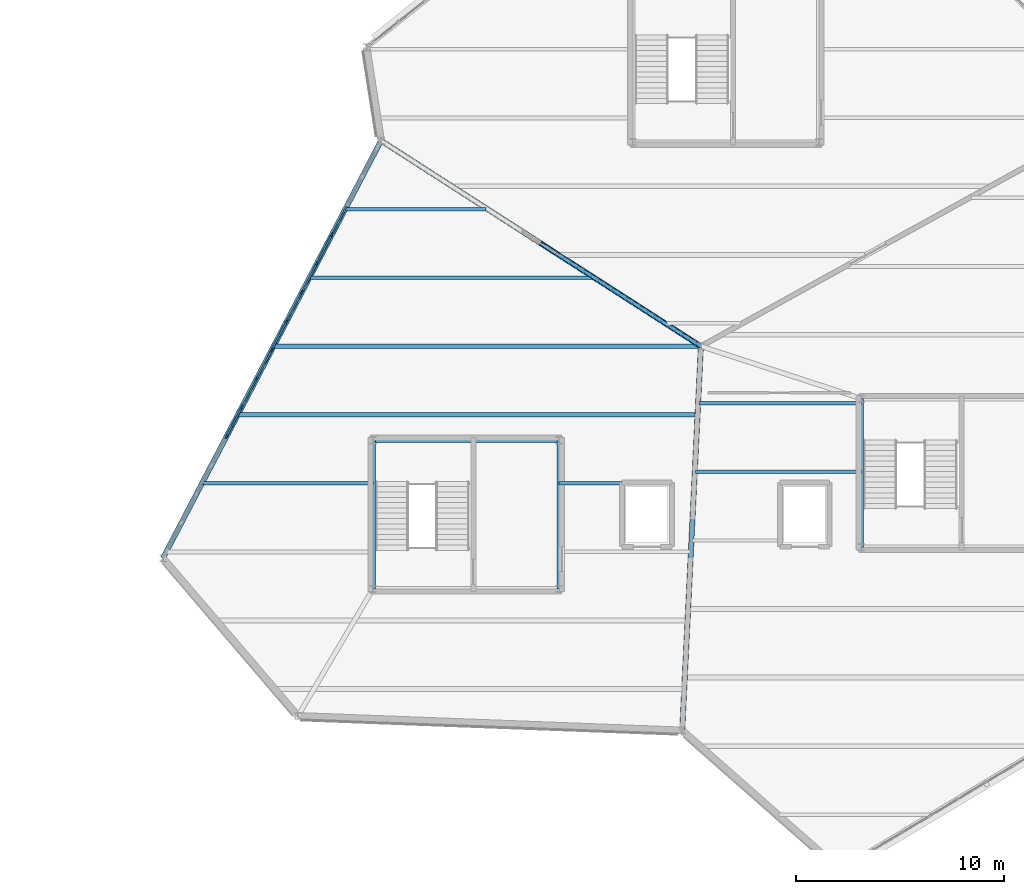
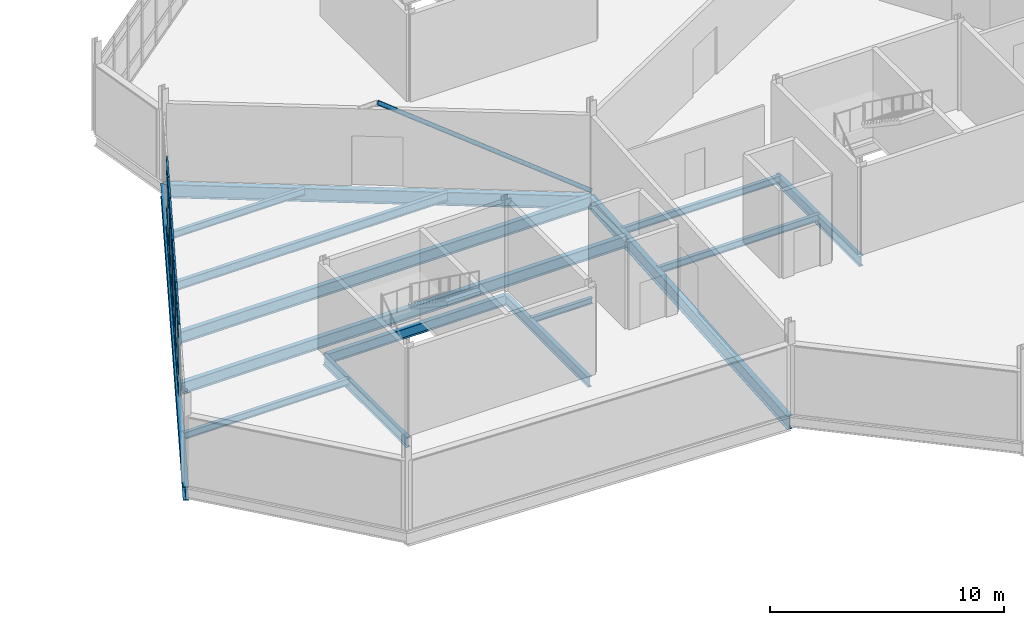
# One storey, part 52 of 114: 41 members, 15 beams, 1 element without a shape of its own.
"""IFC4 building model written with IfcOpenShell, lengths in metres."""

import ifcopenshell
import ifcopenshell.guid

model = None  # the IFC model being written
_history = None  # IfcOwnerHistory: only IFC2X3 demands one
_inside = {}  # id of a spatial element -> (the spatial element, [elements in it])
_under = {}  # id of a project, library or spatial element -> (it, [spatial elements below it])
_declared = {}  # id of a project -> (the project, [libraries it declares])
_typed = {}  # id of a type object -> (the type object, [elements of that type])
_made_of = {}  # id of a material, layer set ... -> (it, [elements and type objects made of it])


def new_model(schema):
    """Start an empty IFC model of exactly this schema.

    Asked for "IFC4X3", IfcOpenShell would pick the latest addendum, in which some entities
    have other attributes; the version numbers below select the first issue.
    IFC2X3 requires an IfcOwnerHistory on every rooted entity: one is made here for all.
    """
    global model, _history
    if schema == "IFC4X3":
        model = ifcopenshell.file(schema_version=(4, 3, 0, 0))
    else:
        model = ifcopenshell.file(schema=schema)
    _inside.clear()
    _under.clear()
    _declared.clear()
    _typed.clear()
    _made_of.clear()
    _history = None
    if model.schema == "IFC2X3":
        org = make("IfcOrganization", Name="unknown")
        user = make(
            "IfcPersonAndOrganization",
            ThePerson=make("IfcPerson", FamilyName="unknown"),
            TheOrganization=org,
        )
        app = make(
            "IfcApplication",
            ApplicationDeveloper=org,
            Version="unknown",
            ApplicationFullName="unknown",
            ApplicationIdentifier="unknown",
        )
        _history = make(
            "IfcOwnerHistory",
            OwningUser=user,
            OwningApplication=app,
            ChangeAction="ADDED",
            CreationDate=0,
        )
    return model


def make(cls, **values):
    """One entity of the class cls with the attributes given. An attribute that is None is left unset."""
    return model.create_entity(
        cls, **{name: value for name, value in values.items() if value is not None}
    )


def rooted(cls, **values):
    """An entity with a GlobalId (a new one), such as an element, a storey or a relation."""
    return make(cls, GlobalId=ifcopenshell.guid.new(), OwnerHistory=_history, **values)


def si_unit(unit_type, name, prefix=None):
    """IfcSIUnit, for example si_unit("LENGTHUNIT", "METRE", prefix="MILLI")."""
    return make("IfcSIUnit", UnitType=unit_type, Prefix=prefix, Name=name)


def assignment(units):
    """IfcUnitAssignment: the units of a project."""
    return None if units is None else make("IfcUnitAssignment", Units=units)


def point(xyz):
    """IfcCartesianPoint."""
    return None if xyz is None else make("IfcCartesianPoint", Coordinates=xyz)


def direction(xyz):
    """IfcDirection."""
    return None if xyz is None else make("IfcDirection", DirectionRatios=xyz)


def frame(location, z_axis=None, x_axis=None):
    """IfcAxis2Placement3D, a coordinate frame: its origin and axes. An axis left out is left unset."""
    return make(
        "IfcAxis2Placement3D",
        Location=point(location),
        Axis=direction(z_axis),
        RefDirection=direction(x_axis),
    )


def frame_2d(location, x_axis=None):
    """IfcAxis2Placement2D, a coordinate frame in the plane: its origin and x axis."""
    return make(
        "IfcAxis2Placement2D", Location=point(location), RefDirection=direction(x_axis)
    )


def origin():
    """The frame at (0, 0, 0) with its axes left unset."""
    return frame((0.0, 0.0, 0.0))


def origin_2d():
    """The frame at (0, 0) in the plane with its x axis left unset."""
    return frame_2d((0.0, 0.0))


def place(relative_to, where):
    """IfcLocalPlacement: puts the frame where relative to a parent placement (None: the world)."""
    return make(
        "IfcLocalPlacement", PlacementRelTo=relative_to, RelativePlacement=where
    )


def context(
    kind, dimensions, precision=None, world=None, true_north=None, identifier=None
):
    """IfcGeometricRepresentationContext, for example the 3D "Model" context."""
    return make(
        "IfcGeometricRepresentationContext",
        ContextIdentifier=identifier,
        ContextType=kind,
        CoordinateSpaceDimension=dimensions,
        Precision=precision,
        WorldCoordinateSystem=world,
        TrueNorth=true_north,
    )


def subcontext(parent, identifier, kind, view, scale=None):
    """IfcGeometricRepresentationSubContext, for example "Body" below "Model"."""
    return make(
        "IfcGeometricRepresentationSubContext",
        ContextIdentifier=identifier,
        ContextType=kind,
        ParentContext=parent,
        TargetScale=scale,
        TargetView=view,
    )


def project(units=None, contexts=None):
    """IfcProject with its units and contexts."""
    return rooted(
        "IfcProject",
        Name="project",
        RepresentationContexts=contexts,
        UnitsInContext=assignment(units),
    )


def spatial(cls, under=None, at=None, **own):
    """A site, building, storey or space (cls), placed at a placement, below another one or the project."""
    s = rooted(cls, ObjectPlacement=at, **own)
    if under is not None:
        _under.setdefault(under.id(), (under, []))[1].append(s)
    return s


def profile(cls, at=None, kind="AREA", **sizes):
    """A parametric profile (cls). Its sizes go by their IFC names, for example OverallWidth=200.0."""
    return make(cls, ProfileType=kind, Position=at, **sizes)


def rectangle(**sizes):
    """IfcRectangleProfileDef."""
    return profile("IfcRectangleProfileDef", **sizes)


def hollow_circle(**sizes):
    """IfcCircleHollowProfileDef."""
    return profile("IfcCircleHollowProfileDef", **sizes)


def i_section(**sizes):
    """IfcIShapeProfileDef."""
    return profile("IfcIShapeProfileDef", **sizes)


def extrude(swept, where, along, depth):
    """IfcExtrudedAreaSolid: the profile swept, set in the frame where, extruded along a direction by depth."""
    return make(
        "IfcExtrudedAreaSolid",
        SweptArea=swept,
        Position=where,
        ExtrudedDirection=direction(along),
        Depth=depth,
    )


def shape(context_of_items, identifier, shape_type, items):
    """IfcShapeRepresentation: the items that make up one representation, for example the "Body"."""
    return make(
        "IfcShapeRepresentation",
        ContextOfItems=context_of_items,
        RepresentationIdentifier=identifier,
        RepresentationType=shape_type,
        Items=items,
    )


def material(Name=None, Category=None):
    """IfcMaterial."""
    return make("IfcMaterial", Name=Name, Category=Category)


def material_profile(
    of_material, cross_section, Name=None, Category=None, Priority=None
):
    """IfcMaterialProfile: a cross section and its material."""
    return make(
        "IfcMaterialProfile",
        Name=Name,
        Material=of_material,
        Profile=cross_section,
        Priority=Priority,
        Category=Category,
    )


def profile_set(profiles, Name=None, composite=None):
    """IfcMaterialProfileSet."""
    return make(
        "IfcMaterialProfileSet",
        Name=Name,
        MaterialProfiles=profiles,
        CompositeProfile=composite,
    )


def made_of(thing, what):
    """Note that an element or type object is made of a material, layer set ...; save() writes the relation."""
    if what is not None:
        _made_of.setdefault(what.id(), (what, []))[1].append(thing)
    return thing


def type_object(cls, material=None, **own):
    """A type object (cls), such as IfcWallType, which elements share."""
    return made_of(rooted(cls, **own), material)


def element(
    cls,
    number,
    at=None,
    inside=None,
    cuts=None,
    type_object=None,
    material=None,
    context=None,
    identifier="Body",
    shape_type=None,
    held_by="IfcProductDefinitionShape",
    body=None,
    shapes=None,
    **own,
):
    """One element of the class cls, such as IfcWall. Its Tag is "e" and its number.

    at: its placement. inside: the storey or other place that contains it. cuts: it is an
    opening in that element (IfcRelVoidsElement). A single representation is given by context,
    identifier, shape_type and body (its items); several are given by shapes. held_by: the class
    of the entity that holds the representations. save() writes the other relations.
    """
    e = rooted(cls, Tag="e%d" % number, ObjectPlacement=at, **own)
    if body is not None:
        shapes = [shape(context, identifier, shape_type, body)]
    if shapes is not None:
        e.Representation = make(held_by, Representations=shapes)
    if inside is not None:
        _inside.setdefault(inside.id(), (inside, []))[1].append(e)
    if cuts is not None:
        rooted(
            "IfcRelVoidsElement", RelatingBuildingElement=cuts, RelatedOpeningElement=e
        )
    if type_object is not None:
        _typed.setdefault(type_object.id(), (type_object, []))[1].append(e)
    return made_of(e, material)


def aggregate(whole, parts):
    """IfcRelAggregates: a whole, such as a stair, and the parts it consists of."""
    return rooted("IfcRelAggregates", RelatingObject=whole, RelatedObjects=parts)


def save(model, path):
    """Write the relations noted so far, then the file.

    IfcRelAggregates (storeys below a building ...), IfcRelContainedInSpatialStructure (elements
    in a storey), IfcRelDefinesByType, IfcRelAssociatesMaterial and IfcRelDeclares: one each for
    every whole, place, type object, material and project.
    """
    for whole, parts in _under.values():
        aggregate(whole, parts)
    for where, things in _inside.values():
        rooted(
            "IfcRelContainedInSpatialStructure",
            RelatedElements=things,
            RelatingStructure=where,
        )
    for kind, things in _typed.values():
        rooted("IfcRelDefinesByType", RelatedObjects=things, RelatingType=kind)
    for what, things in _made_of.values():
        rooted("IfcRelAssociatesMaterial", RelatedObjects=things, RelatingMaterial=what)
    for by, libraries in _declared.values():
        rooted("IfcRelDeclares", RelatingContext=by, RelatedDefinitions=libraries)
    model.write(path)


model = new_model("IFC4")

# Units and contexts
model_context = context("Model", 3, precision=1e-05, world=origin(), true_north=direction((0.0, 1.0)))
body_context = subcontext(model_context, "Body", "Model", "MODEL_VIEW")
ifc_project = project(units=[si_unit("LENGTHUNIT", "METRE"), si_unit("AREAUNIT", "SQUARE_METRE"), si_unit("VOLUMEUNIT", "CUBIC_METRE"), si_unit("PLANEANGLEUNIT", "RADIAN"), si_unit("MASSUNIT", "GRAM", prefix="KILO")], contexts=[model_context])

# Site, building, storey
site_placement = place(None, origin())
site = spatial("IfcSite", under=ifc_project, at=site_placement, CompositionType="ELEMENT")
building_placement = place(site_placement, origin())
building = spatial("IfcBuilding", under=site, at=building_placement, Name="Tameran Prism Museum", CompositionType="ELEMENT")
storey_placement = place(building_placement, frame((0.0, 0.0, 10.199951171875)))
storey = spatial("IfcBuildingStorey", under=building, at=storey_placement, Name="L02", CompositionType="ELEMENT", Elevation=10.199951171875)

# Beams
ifc_material_1 = material(Name="Steel Grade 300PLUS (300 MPa)", Category="steel")
ifc_material_profile_1 = material_profile(ifc_material_1, i_section(OverallWidth=0.1650390625, OverallDepth=0.303955078125, WebThickness=0.006103515625, FlangeThickness=0.01025390625, FilletRadius=0.011474609375, at=origin_2d()))
ifc_profile_set_1 = profile_set([ifc_material_profile_1])
beam_type_1 = type_object("IfcBeamType", Name="BM-J310B", PredefinedType="JOIST", material=ifc_profile_set_1)
beam_1_placement = place(storey_placement, frame((111.97998046875, 82.5, -0.35205078125), z_axis=(1.0, 0.0, 0.0), x_axis=(0.0, 1.0, 0.0)))
element("IfcBeam", 1, at=beam_1_placement, inside=storey, type_object=beam_type_1, Name="Floor Beam BM-0814", PredefinedType="JOIST", context=body_context, shape_type="SweptSolid", body=[
    extrude(i_section(OverallWidth=0.1650390625, OverallDepth=0.303955078125, WebThickness=0.006103515625, FlangeThickness=0.01025390625, FilletRadius=0.011474609375, at=origin_2d()), origin(), (0.0, 0.0, 1.0), 3.0400390625),
])
ifc_material_2 = material(Name="Steel Grade 300PLUS (300 MPa)", Category="steel")
ifc_material_profile_2 = material_profile(ifc_material_2, i_section(OverallWidth=0.172119140625, OverallDepth=0.35888671875, WebThickness=0.008056640625, FlangeThickness=0.012939453125, FilletRadius=0.011474609375, at=origin_2d()))
ifc_profile_set_2 = profile_set([ifc_material_profile_2])
beam_type_2 = type_object("IfcBeamType", Name="BM-J360A", PredefinedType="JOIST", material=ifc_profile_set_2)
beam_2_placement = place(storey_placement, frame((118.7060546875, 86.35009765625, -0.37939453125), z_axis=(1.0, 0.0, 0.0), x_axis=(0.0, 1.0, 0.0)))
element("IfcBeam", 2, at=beam_2_placement, inside=storey, type_object=beam_type_2, Name="Floor Beam BM-0827", PredefinedType="JOIST", context=body_context, shape_type="SweptSolid", body=[
    extrude(i_section(OverallWidth=0.172119140625, OverallDepth=0.35888671875, WebThickness=0.008056640625, FlangeThickness=0.012939453125, FilletRadius=0.011474609375, at=origin_2d()), origin(), (0.0, 0.0, 1.0), 7.81396484375),
])
ifc_material_3 = material(Name="Steel Grade 300PLUS (300 MPa)", Category="steel")
ifc_material_profile_3 = material_profile(ifc_material_3, i_section(OverallWidth=0.1708984375, OverallDepth=0.35595703125, WebThickness=0.00732421875, FlangeThickness=0.011474609375, FilletRadius=0.011474609375, at=origin_2d()))
ifc_profile_set_3 = profile_set([ifc_material_profile_3])
beam_type_3 = type_object("IfcBeamType", Name="BM-J360B", PredefinedType="JOIST", material=ifc_profile_set_3)
beam_3_placement = place(storey_placement, frame((94.825927734375, 82.5, -0.3779296875), z_axis=(1.0, 0.0, 0.0), x_axis=(0.0, 1.0, 0.0)))
element("IfcBeam", 3, at=beam_3_placement, inside=storey, type_object=beam_type_3, Name="Floor Beam BM-0813", PredefinedType="JOIST", context=body_context, shape_type="SweptSolid", body=[
    extrude(i_section(OverallWidth=0.1708984375, OverallDepth=0.35595703125, WebThickness=0.00732421875, FlangeThickness=0.011474609375, FilletRadius=0.011474609375, at=origin_2d()), origin(), (0.0, 0.0, 1.0), 8.194091796875),
])
beam_4_placement = place(storey_placement, frame((101.720947265625, 95.699951171875, -0.3779296875), z_axis=(1.0, 0.0, 0.0), x_axis=(0.0, 1.0, 0.0)))
element("IfcBeam", 4, at=beam_4_placement, inside=storey, type_object=beam_type_3, Name="Floor Beam BM-0818", PredefinedType="JOIST", context=body_context, shape_type="SweptSolid", body=[
    extrude(i_section(OverallWidth=0.1708984375, OverallDepth=0.35595703125, WebThickness=0.00732421875, FlangeThickness=0.011474609375, FilletRadius=0.011474609375, at=origin_2d()), origin(), (0.0, 0.0, 1.0), 6.738037109375),
])
beam_5_placement = place(storey_placement, frame((118.5458984375, 83.050048828125, -0.3779296875), z_axis=(1.0, 0.0, 0.0), x_axis=(0.0, 1.0, 0.0)))
element("IfcBeam", 5, at=beam_5_placement, inside=storey, type_object=beam_type_3, Name="Floor Beam BM-0825", PredefinedType="JOIST", context=body_context, shape_type="SweptSolid", body=[
    extrude(i_section(OverallWidth=0.1708984375, OverallDepth=0.35595703125, WebThickness=0.00732421875, FlangeThickness=0.011474609375, FilletRadius=0.011474609375, at=origin_2d()), origin(), (0.0, 0.0, 1.0), 7.97412109375),
])
ifc_material_4 = material(Name="Steel Grade 300PLUS (300 MPa)", Category="steel")
ifc_material_profile_4 = material_profile(ifc_material_4, i_section(OverallWidth=0.18994140625, OverallDepth=0.4541015625, WebThickness=0.008544921875, FlangeThickness=0.0126953125, FilletRadius=0.011474609375, at=origin_2d()))
ifc_profile_set_4 = profile_set([ifc_material_profile_4])
beam_type_4 = type_object("IfcBeamType", Name="BM-J460B", PredefinedType="JOIST", material=ifc_profile_set_4)
beam_6_placement = place(storey_placement, frame((99.9970703125, 92.39990234375, -0.427001953125), z_axis=(1.0, 0.0, 0.0), x_axis=(0.0, 1.0, 0.0)))
element("IfcBeam", 6, at=beam_6_placement, inside=storey, type_object=beam_type_4, Name="Floor Beam BM-0817", PredefinedType="JOIST", context=body_context, shape_type="SweptSolid", body=[
    extrude(i_section(OverallWidth=0.18994140625, OverallDepth=0.4541015625, WebThickness=0.008544921875, FlangeThickness=0.0126953125, FilletRadius=0.011474609375, at=origin_2d()), origin(), (0.0, 0.0, 1.0), 13.595947265625),
])
ifc_material_5 = material(Name="Steel Grade 300PLUS (300 MPa)", Category="steel")
ifc_material_profile_5 = material_profile(ifc_material_5, i_section(OverallWidth=0.208984375, OverallDepth=0.528076171875, WebThickness=0.009521484375, FlangeThickness=0.01318359375, FilletRadius=0.013916015625, at=origin_2d()))
ifc_profile_set_5 = profile_set([ifc_material_profile_5])
beam_type_5 = type_object("IfcBeamType", Name="BM-SP530B", PredefinedType="SPANDREL", material=ifc_profile_set_5)
beam_7_placement = place(storey_placement, frame((111.97998046875, 77.419921875, -0.50390625), z_axis=(0.0, 1.0, 0.0), x_axis=(-1.0, 0.0, 0.0)))
element("IfcBeam", 7, at=beam_7_placement, inside=storey, type_object=beam_type_5, Name="Core Ring Beam CTB-0758", PredefinedType="SPANDREL", context=body_context, shape_type="SweptSolid", body=[
    extrude(i_section(OverallWidth=0.208984375, OverallDepth=0.528076171875, WebThickness=0.009521484375, FlangeThickness=0.01318359375, FilletRadius=0.013916015625, at=origin_2d()), origin(), (0.0, 0.0, 1.0), 7.16015625),
])
beam_8_placement = place(storey_placement, frame((111.97998046875, 84.580078125, -0.50390625), z_axis=(-1.0, 0.0, 0.0), x_axis=(0.0, -1.0, 0.0)))
element("IfcBeam", 8, at=beam_8_placement, inside=storey, type_object=beam_type_5, Name="Core Ring Beam CTB-0759", PredefinedType="SPANDREL", context=body_context, shape_type="SweptSolid", body=[
    extrude(i_section(OverallWidth=0.208984375, OverallDepth=0.528076171875, WebThickness=0.009521484375, FlangeThickness=0.01318359375, FilletRadius=0.013916015625, at=origin_2d()), origin(), (0.0, 0.0, 1.0), 8.9599609375),
])
for number, where, z_axis, x_axis, name in (
    (9, (103.02001953125, 84.580078125, -0.50390625), (0.0, -1.0, 0.0), (1.0, 0.0, 0.0), "Core Ring Beam CTB-0760"),
    (10, (126.52001953125, 86.580078125, -0.50390625), (0.0, -1.0, 0.0), (1.0, 0.0, 0.0), "Core Ring Beam CTB-0764"),
):
    element("IfcBeam", number, at=place(storey_placement, frame(where, z_axis=z_axis, x_axis=x_axis)), inside=storey, type_object=beam_type_5, Name=name, PredefinedType="SPANDREL", context=body_context, shape_type="SweptSolid", body=[
        extrude(i_section(OverallWidth=0.208984375, OverallDepth=0.528076171875, WebThickness=0.009521484375, FlangeThickness=0.01318359375, FilletRadius=0.013916015625, at=origin_2d()), origin(), (0.0, 0.0, 1.0), 7.16015625),
    ])
ifc_material_6 = material(Name="Steel Grade 350 (350 MPa)", Category="steel")
ifc_material_profile_6 = material_profile(ifc_material_6, i_section(OverallWidth=0.25, OverallDepth=0.699951171875, WebThickness=0.010009765625, FlangeThickness=0.02001953125, at=origin_2d()))
ifc_profile_set_6 = profile_set([ifc_material_profile_6])
beam_type_6 = type_object("IfcBeamType", Name="BM-SP700", PredefinedType="SPANDREL", material=ifc_profile_set_6)
beam_9_placement = place(storey_placement, frame((117.89990234375, 70.60009765625, -0.550048828125), z_axis=(0.048599072515, 0.998818366947, 0.0), x_axis=(-0.998818366947, 0.048599072515, 0.0)))
element("IfcBeam", 11, at=beam_9_placement, inside=storey, type_object=beam_type_6, Name="Perimeter Spandrel SP-0655", PredefinedType="SPANDREL", context=body_context, shape_type="SweptSolid", body=[
    extrude(i_section(OverallWidth=0.25, OverallDepth=0.699951171875, WebThickness=0.010009765625, FlangeThickness=0.02001953125, at=origin_2d()), origin(), (0.0, 0.0, 1.0), 18.52197265625),
])
beam_10_placement = place(storey_placement, frame((118.800048828125, 89.10009765625, -0.550048828125), z_axis=(-0.841183241423, 0.540750177392, 0.0), x_axis=(-0.540750177392, -0.841183241423, 0.0)))
element("IfcBeam", 12, at=beam_10_placement, inside=storey, type_object=beam_type_6, Name="Perimeter Spandrel SP-0656", PredefinedType="SPANDREL", context=body_context, shape_type="SweptSolid", body=[
    extrude(i_section(OverallWidth=0.25, OverallDepth=0.699951171875, WebThickness=0.010009765625, FlangeThickness=0.02001953125, at=origin_2d()), origin(), (0.0, 0.0, 1.0), 18.3076171875),
])
beam_11_placement = place(storey_placement, frame((103.39990234375, 99.0, -0.550048828125), z_axis=(-0.463016287734, -0.886349771418, 0.0), x_axis=(0.886349771418, -0.463016287734, 0.0)))
element("IfcBeam", 13, at=beam_11_placement, inside=storey, type_object=beam_type_6, Name="Perimeter Spandrel SP-0657", PredefinedType="SPANDREL", context=body_context, shape_type="SweptSolid", body=[
    extrude(i_section(OverallWidth=0.25, OverallDepth=0.699951171875, WebThickness=0.010009765625, FlangeThickness=0.02001953125, at=origin_2d()), origin(), (0.0, 0.0, 1.0), 22.677490234375),
])
ifc_material_7 = material(Name="Steel Grade 300PLUS (300 MPa)", Category="steel")
ifc_material_profile_7 = material_profile(ifc_material_7, i_section(OverallWidth=0.22802734375, OverallDepth=0.60693359375, WebThickness=0.01123046875, FlangeThickness=0.017333984375, FilletRadius=0.013916015625, at=origin_2d()))
ifc_profile_set_7 = profile_set([ifc_material_profile_7])
beam_type_7 = type_object("IfcBeamType", Name="BM-UB610B", PredefinedType="BEAM", material=ifc_profile_set_7)
beam_12_placement = place(storey_placement, frame((96.550048828125, 85.800048828125, -0.50341796875), z_axis=(1.0, 0.0, 0.0), x_axis=(0.0, 1.0, 0.0)))
element("IfcBeam", 14, at=beam_12_placement, inside=storey, type_object=beam_type_7, Name="Floor Beam BM-0815", PredefinedType="BEAM", context=body_context, shape_type="SweptSolid", body=[
    extrude(i_section(OverallWidth=0.22802734375, OverallDepth=0.60693359375, WebThickness=0.01123046875, FlangeThickness=0.017333984375, FilletRadius=0.013916015625, at=origin_2d()), origin(), (0.0, 0.0, 1.0), 22.049072265625),
])
beam_13_placement = place(storey_placement, frame((98.27294921875, 89.10009765625, -0.50341796875), z_axis=(1.0, 0.0, 0.0), x_axis=(0.0, 1.0, 0.0)))
element("IfcBeam", 15, at=beam_13_placement, inside=storey, type_object=beam_type_7, Name="Floor Beam BM-0816", PredefinedType="BEAM", context=body_context, shape_type="SweptSolid", body=[
    extrude(i_section(OverallWidth=0.22802734375, OverallDepth=0.60693359375, WebThickness=0.01123046875, FlangeThickness=0.017333984375, FilletRadius=0.013916015625, at=origin_2d()), origin(), (0.0, 0.0, 1.0), 20.453125),
])

# Curtain wall, members
ifc_material_8 = material(Name="Anodised Aluminium 6063-T6 and Cyclone Solar Glass", Category="aluminium")
curtain_wall_type = type_object("IfcCurtainWallType", Name="CW-FAC-2192x362", PredefinedType="USERDEFINED", material=ifc_material_8)
curtain_wall_placement = place(storey_placement, origin())
curtain_wall = element("IfcCurtainWall", 16, at=curtain_wall_placement, inside=storey, type_object=curtain_wall_type, Name="Unitised Curtain Wall CW-098", ObjectType="UNITISED CURTAIN WALL", PredefinedType="USERDEFINED")
ifc_material_9 = material(Name="Anodised Aluminium Alloy 6063-T6", Category="aluminium")
ifc_material_profile_8 = material_profile(ifc_material_9, rectangle(XDim=0.080078125, YDim=0.219970703125, at=origin_2d()))
ifc_profile_set_8 = profile_set([ifc_material_profile_8])
member_type_1 = type_object("IfcMemberType", Name="CW-MUL-D", PredefinedType="MULLION", material=ifc_profile_set_8)
member_1_placement = place(storey_placement, frame((95.96142578125, 84.760498046875, 0.0), z_axis=(0.0, 0.0, 1.0), x_axis=(-0.886356952612, 0.463002540551, 0.0)))
member_1 = element("IfcMember", 17, at=member_1_placement, type_object=member_type_1, Name="CW-098 mullion 5", PredefinedType="MULLION", context=body_context, shape_type="SweptSolid", body=[
    extrude(rectangle(XDim=0.080078125, YDim=0.219970703125, at=origin_2d()), origin(), (0.0, 0.0, 1.0), 3.6201171875),
])
member_2_placement = place(storey_placement, frame((96.686279296875, 86.148193359375, 0.0), z_axis=(0.0, 0.0, 1.0), x_axis=(-0.886356952612, 0.463002540551, 0.0)))
member_2 = element("IfcMember", 18, at=member_2_placement, type_object=member_type_1, Name="CW-098 mullion 6", PredefinedType="MULLION", context=body_context, shape_type="SweptSolid", body=[
    extrude(rectangle(XDim=0.080078125, YDim=0.219970703125, at=origin_2d()), origin(), (0.0, 0.0, 1.0), 3.6201171875),
])
member_3_placement = place(storey_placement, frame((97.4111328125, 87.535888671875, 0.0), z_axis=(0.0, 0.0, 1.0), x_axis=(-0.886356952612, 0.463002540551, 0.0)))
member_3 = element("IfcMember", 19, at=member_3_placement, type_object=member_type_1, Name="CW-098 mullion 7", PredefinedType="MULLION", context=body_context, shape_type="SweptSolid", body=[
    extrude(rectangle(XDim=0.080078125, YDim=0.219970703125, at=origin_2d()), origin(), (0.0, 0.0, 1.0), 3.6201171875),
])
member_4_placement = place(storey_placement, frame((98.135986328125, 88.923583984375, 0.0), z_axis=(0.0, 0.0, 1.0), x_axis=(-0.886356952612, 0.463002540551, 0.0)))
member_4 = element("IfcMember", 20, at=member_4_placement, type_object=member_type_1, Name="CW-098 mullion 8", PredefinedType="MULLION", context=body_context, shape_type="SweptSolid", body=[
    extrude(rectangle(XDim=0.080078125, YDim=0.219970703125, at=origin_2d()), origin(), (0.0, 0.0, 1.0), 3.6201171875),
])
member_5_placement = place(storey_placement, frame((98.86083984375, 90.31103515625, 0.0), z_axis=(0.0, 0.0, 1.0), x_axis=(-0.886356952612, 0.463002540551, 0.0)))
member_5 = element("IfcMember", 21, at=member_5_placement, type_object=member_type_1, Name="CW-098 mullion 9", PredefinedType="MULLION", context=body_context, shape_type="SweptSolid", body=[
    extrude(rectangle(XDim=0.080078125, YDim=0.219970703125, at=origin_2d()), origin(), (0.0, 0.0, 1.0), 3.6201171875),
])
member_6_placement = place(storey_placement, frame((99.585693359375, 91.69873046875, 0.0), z_axis=(0.0, 0.0, 1.0), x_axis=(-0.886356952612, 0.463002540551, 0.0)))
member_6 = element("IfcMember", 22, at=member_6_placement, type_object=member_type_1, Name="CW-098 mullion 10", PredefinedType="MULLION", context=body_context, shape_type="SweptSolid", body=[
    extrude(rectangle(XDim=0.080078125, YDim=0.219970703125, at=origin_2d()), origin(), (0.0, 0.0, 1.0), 3.6201171875),
])
member_7_placement = place(storey_placement, frame((100.310546875, 93.08642578125, 0.0), z_axis=(0.0, 0.0, 1.0), x_axis=(-0.886356952612, 0.463002540551, 0.0)))
member_7 = element("IfcMember", 23, at=member_7_placement, type_object=member_type_1, Name="CW-098 mullion 11", PredefinedType="MULLION", context=body_context, shape_type="SweptSolid", body=[
    extrude(rectangle(XDim=0.080078125, YDim=0.219970703125, at=origin_2d()), origin(), (0.0, 0.0, 1.0), 3.6201171875),
])
member_8_placement = place(storey_placement, frame((101.035400390625, 94.47412109375, 0.0), z_axis=(0.0, 0.0, 1.0), x_axis=(-0.886356952612, 0.463002540551, 0.0)))
member_8 = element("IfcMember", 24, at=member_8_placement, type_object=member_type_1, Name="CW-098 mullion 12", PredefinedType="MULLION", context=body_context, shape_type="SweptSolid", body=[
    extrude(rectangle(XDim=0.080078125, YDim=0.219970703125, at=origin_2d()), origin(), (0.0, 0.0, 1.0), 3.6201171875),
])
ifc_material_10 = material(Name="Anodised Aluminium Alloy 6063-T6", Category="aluminium")
ifc_material_profile_9 = material_profile(ifc_material_10, rectangle(XDim=0.080078125, YDim=0.195068359375, at=origin_2d()))
ifc_profile_set_9 = profile_set([ifc_material_profile_9])
member_type_2 = type_object("IfcMemberType", Name="CW-TRN-D", PredefinedType="USERDEFINED", material=ifc_profile_set_9)
member_9_placement = place(storey_placement, frame((95.97998046875, 84.796142578125, 0.0400390625), z_axis=(0.462987220267, 0.886364955236, 0.0), x_axis=(-0.886364955236, 0.462987220267, 0.0)))
member_9 = element("IfcMember", 25, at=member_9_placement, type_object=member_type_2, Name="CW-098 transom 5.1", ObjectType="TRANSOM", PredefinedType="USERDEFINED", context=body_context, shape_type="SweptSolid", body=[
    extrude(rectangle(XDim=0.080078125, YDim=0.195068359375, at=origin_2d()), origin(), (0.0, 0.0, 1.0), 1.4853515625),
])
member_10_placement = place(storey_placement, frame((95.97998046875, 84.796142578125, 1.0), z_axis=(0.462987220267, 0.886364955236, 0.0), x_axis=(-0.886364955236, 0.462987220267, 0.0)))
member_10 = element("IfcMember", 26, at=member_10_placement, type_object=member_type_2, Name="CW-098 transom 5.2", ObjectType="TRANSOM", PredefinedType="USERDEFINED", context=body_context, shape_type="SweptSolid", body=[
    extrude(rectangle(XDim=0.080078125, YDim=0.195068359375, at=origin_2d()), origin(), (0.0, 0.0, 1.0), 1.4853515625),
])
member_11_placement = place(storey_placement, frame((95.97998046875, 84.796142578125, 2.93994140625), z_axis=(0.462987220267, 0.886364955236, 0.0), x_axis=(-0.886364955236, 0.462987220267, 0.0)))
member_11 = element("IfcMember", 27, at=member_11_placement, type_object=member_type_2, Name="CW-098 transom 5.3", ObjectType="TRANSOM", PredefinedType="USERDEFINED", context=body_context, shape_type="SweptSolid", body=[
    extrude(rectangle(XDim=0.080078125, YDim=0.195068359375, at=origin_2d()), origin(), (0.0, 0.0, 1.0), 1.4853515625),
])
member_12_placement = place(storey_placement, frame((95.97998046875, 84.796142578125, 3.580078125), z_axis=(0.462987220267, 0.886364955236, 0.0), x_axis=(-0.886364955236, 0.462987220267, 0.0)))
member_12 = element("IfcMember", 28, at=member_12_placement, type_object=member_type_2, Name="CW-098 transom 5.4", ObjectType="TRANSOM", PredefinedType="USERDEFINED", context=body_context, shape_type="SweptSolid", body=[
    extrude(rectangle(XDim=0.080078125, YDim=0.195068359375, at=origin_2d()), origin(), (0.0, 0.0, 1.0), 1.4853515625),
])
member_13_placement = place(storey_placement, frame((96.704833984375, 86.18359375, 0.0400390625), z_axis=(0.46291978158, 0.886400178148, 0.0), x_axis=(-0.886400178148, 0.46291978158, 0.0)))
member_13 = element("IfcMember", 29, at=member_13_placement, type_object=member_type_2, Name="CW-098 transom 6.1", ObjectType="TRANSOM", PredefinedType="USERDEFINED", context=body_context, shape_type="SweptSolid", body=[
    extrude(rectangle(XDim=0.080078125, YDim=0.195068359375, at=origin_2d()), origin(), (0.0, 0.0, 1.0), 1.485595703125),
])
member_14_placement = place(storey_placement, frame((96.704833984375, 86.18359375, 1.0), z_axis=(0.46291978158, 0.886400178148, 0.0), x_axis=(-0.886400178148, 0.46291978158, 0.0)))
member_14 = element("IfcMember", 30, at=member_14_placement, type_object=member_type_2, Name="CW-098 transom 6.2", ObjectType="TRANSOM", PredefinedType="USERDEFINED", context=body_context, shape_type="SweptSolid", body=[
    extrude(rectangle(XDim=0.080078125, YDim=0.195068359375, at=origin_2d()), origin(), (0.0, 0.0, 1.0), 1.485595703125),
])
member_15_placement = place(storey_placement, frame((96.704833984375, 86.18359375, 2.93994140625), z_axis=(0.46291978158, 0.886400178148, 0.0), x_axis=(-0.886400178148, 0.46291978158, 0.0)))
member_15 = element("IfcMember", 31, at=member_15_placement, type_object=member_type_2, Name="CW-098 transom 6.3", ObjectType="TRANSOM", PredefinedType="USERDEFINED", context=body_context, shape_type="SweptSolid", body=[
    extrude(rectangle(XDim=0.080078125, YDim=0.195068359375, at=origin_2d()), origin(), (0.0, 0.0, 1.0), 1.485595703125),
])
member_16_placement = place(storey_placement, frame((96.704833984375, 86.18359375, 3.580078125), z_axis=(0.46291978158, 0.886400178148, 0.0), x_axis=(-0.886400178148, 0.46291978158, 0.0)))
member_16 = element("IfcMember", 32, at=member_16_placement, type_object=member_type_2, Name="CW-098 transom 6.4", ObjectType="TRANSOM", PredefinedType="USERDEFINED", context=body_context, shape_type="SweptSolid", body=[
    extrude(rectangle(XDim=0.080078125, YDim=0.195068359375, at=origin_2d()), origin(), (0.0, 0.0, 1.0), 1.485595703125),
])
member_17_placement = place(storey_placement, frame((97.4296875, 87.5712890625, 0.0400390625), z_axis=(0.462987220267, 0.886364955236, 0.0), x_axis=(-0.886364955236, 0.462987220267, 0.0)))
member_17 = element("IfcMember", 33, at=member_17_placement, type_object=member_type_2, Name="CW-098 transom 7.1", ObjectType="TRANSOM", PredefinedType="USERDEFINED", context=body_context, shape_type="SweptSolid", body=[
    extrude(rectangle(XDim=0.080078125, YDim=0.195068359375, at=origin_2d()), origin(), (0.0, 0.0, 1.0), 1.4853515625),
])
member_18_placement = place(storey_placement, frame((97.4296875, 87.5712890625, 1.0), z_axis=(0.462987220267, 0.886364955236, 0.0), x_axis=(-0.886364955236, 0.462987220267, 0.0)))
member_18 = element("IfcMember", 34, at=member_18_placement, type_object=member_type_2, Name="CW-098 transom 7.2", ObjectType="TRANSOM", PredefinedType="USERDEFINED", context=body_context, shape_type="SweptSolid", body=[
    extrude(rectangle(XDim=0.080078125, YDim=0.195068359375, at=origin_2d()), origin(), (0.0, 0.0, 1.0), 1.4853515625),
])
member_19_placement = place(storey_placement, frame((97.4296875, 87.5712890625, 2.93994140625), z_axis=(0.462987220267, 0.886364955236, 0.0), x_axis=(-0.886364955236, 0.462987220267, 0.0)))
member_19 = element("IfcMember", 35, at=member_19_placement, type_object=member_type_2, Name="CW-098 transom 7.3", ObjectType="TRANSOM", PredefinedType="USERDEFINED", context=body_context, shape_type="SweptSolid", body=[
    extrude(rectangle(XDim=0.080078125, YDim=0.195068359375, at=origin_2d()), origin(), (0.0, 0.0, 1.0), 1.4853515625),
])
member_20_placement = place(storey_placement, frame((97.4296875, 87.5712890625, 3.580078125), z_axis=(0.462987220267, 0.886364955236, 0.0), x_axis=(-0.886364955236, 0.462987220267, 0.0)))
member_20 = element("IfcMember", 36, at=member_20_placement, type_object=member_type_2, Name="CW-098 transom 7.4", ObjectType="TRANSOM", PredefinedType="USERDEFINED", context=body_context, shape_type="SweptSolid", body=[
    extrude(rectangle(XDim=0.080078125, YDim=0.195068359375, at=origin_2d()), origin(), (0.0, 0.0, 1.0), 1.4853515625),
])
member_21_placement = place(storey_placement, frame((98.154541015625, 88.958984375, 0.0400390625), z_axis=(0.462987220267, 0.886364955236, 0.0), x_axis=(-0.886364955236, 0.462987220267, 0.0)))
member_21 = element("IfcMember", 37, at=member_21_placement, type_object=member_type_2, Name="CW-098 transom 8.1", ObjectType="TRANSOM", PredefinedType="USERDEFINED", context=body_context, shape_type="SweptSolid", body=[
    extrude(rectangle(XDim=0.080078125, YDim=0.195068359375, at=origin_2d()), origin(), (0.0, 0.0, 1.0), 1.4853515625),
])
member_22_placement = place(storey_placement, frame((98.154541015625, 88.958984375, 1.0), z_axis=(0.462987220267, 0.886364955236, 0.0), x_axis=(-0.886364955236, 0.462987220267, 0.0)))
member_22 = element("IfcMember", 38, at=member_22_placement, type_object=member_type_2, Name="CW-098 transom 8.2", ObjectType="TRANSOM", PredefinedType="USERDEFINED", context=body_context, shape_type="SweptSolid", body=[
    extrude(rectangle(XDim=0.080078125, YDim=0.195068359375, at=origin_2d()), origin(), (0.0, 0.0, 1.0), 1.4853515625),
])
member_23_placement = place(storey_placement, frame((98.154541015625, 88.958984375, 2.93994140625), z_axis=(0.462987220267, 0.886364955236, 0.0), x_axis=(-0.886364955236, 0.462987220267, 0.0)))
member_23 = element("IfcMember", 39, at=member_23_placement, type_object=member_type_2, Name="CW-098 transom 8.3", ObjectType="TRANSOM", PredefinedType="USERDEFINED", context=body_context, shape_type="SweptSolid", body=[
    extrude(rectangle(XDim=0.080078125, YDim=0.195068359375, at=origin_2d()), origin(), (0.0, 0.0, 1.0), 1.4853515625),
])
member_24_placement = place(storey_placement, frame((98.154541015625, 88.958984375, 3.580078125), z_axis=(0.462987220267, 0.886364955236, 0.0), x_axis=(-0.886364955236, 0.462987220267, 0.0)))
member_24 = element("IfcMember", 40, at=member_24_placement, type_object=member_type_2, Name="CW-098 transom 8.4", ObjectType="TRANSOM", PredefinedType="USERDEFINED", context=body_context, shape_type="SweptSolid", body=[
    extrude(rectangle(XDim=0.080078125, YDim=0.195068359375, at=origin_2d()), origin(), (0.0, 0.0, 1.0), 1.4853515625),
])
member_25_placement = place(storey_placement, frame((98.87939453125, 90.3466796875, 0.0400390625), z_axis=(0.462987220267, 0.886364955236, 0.0), x_axis=(-0.886364955236, 0.462987220267, 0.0)))
member_25 = element("IfcMember", 41, at=member_25_placement, type_object=member_type_2, Name="CW-098 transom 9.1", ObjectType="TRANSOM", PredefinedType="USERDEFINED", context=body_context, shape_type="SweptSolid", body=[
    extrude(rectangle(XDim=0.080078125, YDim=0.195068359375, at=origin_2d()), origin(), (0.0, 0.0, 1.0), 1.4853515625),
])
member_26_placement = place(storey_placement, frame((98.87939453125, 90.3466796875, 1.0), z_axis=(0.462987220267, 0.886364955236, 0.0), x_axis=(-0.886364955236, 0.462987220267, 0.0)))
member_26 = element("IfcMember", 42, at=member_26_placement, type_object=member_type_2, Name="CW-098 transom 9.2", ObjectType="TRANSOM", PredefinedType="USERDEFINED", context=body_context, shape_type="SweptSolid", body=[
    extrude(rectangle(XDim=0.080078125, YDim=0.195068359375, at=origin_2d()), origin(), (0.0, 0.0, 1.0), 1.4853515625),
])
member_27_placement = place(storey_placement, frame((98.87939453125, 90.3466796875, 2.93994140625), z_axis=(0.462987220267, 0.886364955236, 0.0), x_axis=(-0.886364955236, 0.462987220267, 0.0)))
member_27 = element("IfcMember", 43, at=member_27_placement, type_object=member_type_2, Name="CW-098 transom 9.3", ObjectType="TRANSOM", PredefinedType="USERDEFINED", context=body_context, shape_type="SweptSolid", body=[
    extrude(rectangle(XDim=0.080078125, YDim=0.195068359375, at=origin_2d()), origin(), (0.0, 0.0, 1.0), 1.4853515625),
])
member_28_placement = place(storey_placement, frame((98.87939453125, 90.3466796875, 3.580078125), z_axis=(0.462987220267, 0.886364955236, 0.0), x_axis=(-0.886364955236, 0.462987220267, 0.0)))
member_28 = element("IfcMember", 44, at=member_28_placement, type_object=member_type_2, Name="CW-098 transom 9.4", ObjectType="TRANSOM", PredefinedType="USERDEFINED", context=body_context, shape_type="SweptSolid", body=[
    extrude(rectangle(XDim=0.080078125, YDim=0.195068359375, at=origin_2d()), origin(), (0.0, 0.0, 1.0), 1.4853515625),
])
member_29_placement = place(storey_placement, frame((99.604248046875, 91.734130859375, 0.0400390625), z_axis=(0.46291978158, 0.886400178148, 0.0), x_axis=(-0.886400178148, 0.46291978158, 0.0)))
member_29 = element("IfcMember", 45, at=member_29_placement, type_object=member_type_2, Name="CW-098 transom 10.1", ObjectType="TRANSOM", PredefinedType="USERDEFINED", context=body_context, shape_type="SweptSolid", body=[
    extrude(rectangle(XDim=0.080078125, YDim=0.195068359375, at=origin_2d()), origin(), (0.0, 0.0, 1.0), 1.485595703125),
])
member_30_placement = place(storey_placement, frame((99.604248046875, 91.734130859375, 1.0), z_axis=(0.46291978158, 0.886400178148, 0.0), x_axis=(-0.886400178148, 0.46291978158, 0.0)))
member_30 = element("IfcMember", 46, at=member_30_placement, type_object=member_type_2, Name="CW-098 transom 10.2", ObjectType="TRANSOM", PredefinedType="USERDEFINED", context=body_context, shape_type="SweptSolid", body=[
    extrude(rectangle(XDim=0.080078125, YDim=0.195068359375, at=origin_2d()), origin(), (0.0, 0.0, 1.0), 1.485595703125),
])
member_31_placement = place(storey_placement, frame((99.604248046875, 91.734130859375, 2.93994140625), z_axis=(0.46291978158, 0.886400178148, 0.0), x_axis=(-0.886400178148, 0.46291978158, 0.0)))
member_31 = element("IfcMember", 47, at=member_31_placement, type_object=member_type_2, Name="CW-098 transom 10.3", ObjectType="TRANSOM", PredefinedType="USERDEFINED", context=body_context, shape_type="SweptSolid", body=[
    extrude(rectangle(XDim=0.080078125, YDim=0.195068359375, at=origin_2d()), origin(), (0.0, 0.0, 1.0), 1.485595703125),
])
member_32_placement = place(storey_placement, frame((99.604248046875, 91.734130859375, 3.580078125), z_axis=(0.46291978158, 0.886400178148, 0.0), x_axis=(-0.886400178148, 0.46291978158, 0.0)))
member_32 = element("IfcMember", 48, at=member_32_placement, type_object=member_type_2, Name="CW-098 transom 10.4", ObjectType="TRANSOM", PredefinedType="USERDEFINED", context=body_context, shape_type="SweptSolid", body=[
    extrude(rectangle(XDim=0.080078125, YDim=0.195068359375, at=origin_2d()), origin(), (0.0, 0.0, 1.0), 1.485595703125),
])
member_33_placement = place(storey_placement, frame((100.3291015625, 93.121826171875, 0.0400390625), z_axis=(0.46291978158, 0.886400178148, 0.0), x_axis=(-0.886400178148, 0.46291978158, 0.0)))
member_33 = element("IfcMember", 49, at=member_33_placement, type_object=member_type_2, Name="CW-098 transom 11.1", ObjectType="TRANSOM", PredefinedType="USERDEFINED", context=body_context, shape_type="SweptSolid", body=[
    extrude(rectangle(XDim=0.080078125, YDim=0.195068359375, at=origin_2d()), origin(), (0.0, 0.0, 1.0), 1.485595703125),
])
member_34_placement = place(storey_placement, frame((100.3291015625, 93.121826171875, 1.0), z_axis=(0.46291978158, 0.886400178148, 0.0), x_axis=(-0.886400178148, 0.46291978158, 0.0)))
member_34 = element("IfcMember", 50, at=member_34_placement, type_object=member_type_2, Name="CW-098 transom 11.2", ObjectType="TRANSOM", PredefinedType="USERDEFINED", context=body_context, shape_type="SweptSolid", body=[
    extrude(rectangle(XDim=0.080078125, YDim=0.195068359375, at=origin_2d()), origin(), (0.0, 0.0, 1.0), 1.485595703125),
])
member_35_placement = place(storey_placement, frame((100.3291015625, 93.121826171875, 2.93994140625), z_axis=(0.46291978158, 0.886400178148, 0.0), x_axis=(-0.886400178148, 0.46291978158, 0.0)))
member_35 = element("IfcMember", 51, at=member_35_placement, type_object=member_type_2, Name="CW-098 transom 11.3", ObjectType="TRANSOM", PredefinedType="USERDEFINED", context=body_context, shape_type="SweptSolid", body=[
    extrude(rectangle(XDim=0.080078125, YDim=0.195068359375, at=origin_2d()), origin(), (0.0, 0.0, 1.0), 1.485595703125),
])
member_36_placement = place(storey_placement, frame((100.3291015625, 93.121826171875, 3.580078125), z_axis=(0.46291978158, 0.886400178148, 0.0), x_axis=(-0.886400178148, 0.46291978158, 0.0)))
member_36 = element("IfcMember", 52, at=member_36_placement, type_object=member_type_2, Name="CW-098 transom 11.4", ObjectType="TRANSOM", PredefinedType="USERDEFINED", context=body_context, shape_type="SweptSolid", body=[
    extrude(rectangle(XDim=0.080078125, YDim=0.195068359375, at=origin_2d()), origin(), (0.0, 0.0, 1.0), 1.485595703125),
])
member_37_placement = place(storey_placement, frame((101.053955078125, 94.509521484375, 0.0400390625), z_axis=(0.462987220267, 0.886364955236, 0.0), x_axis=(-0.886364955236, 0.462987220267, 0.0)))
member_37 = element("IfcMember", 53, at=member_37_placement, type_object=member_type_2, Name="CW-098 transom 12.1", ObjectType="TRANSOM", PredefinedType="USERDEFINED", context=body_context, shape_type="SweptSolid", body=[
    extrude(rectangle(XDim=0.080078125, YDim=0.195068359375, at=origin_2d()), origin(), (0.0, 0.0, 1.0), 1.4853515625),
])
member_38_placement = place(storey_placement, frame((101.053955078125, 94.509521484375, 1.0), z_axis=(0.462987220267, 0.886364955236, 0.0), x_axis=(-0.886364955236, 0.462987220267, 0.0)))
member_38 = element("IfcMember", 54, at=member_38_placement, type_object=member_type_2, Name="CW-098 transom 12.2", ObjectType="TRANSOM", PredefinedType="USERDEFINED", context=body_context, shape_type="SweptSolid", body=[
    extrude(rectangle(XDim=0.080078125, YDim=0.195068359375, at=origin_2d()), origin(), (0.0, 0.0, 1.0), 1.4853515625),
])
member_39_placement = place(storey_placement, frame((101.053955078125, 94.509521484375, 2.93994140625), z_axis=(0.462987220267, 0.886364955236, 0.0), x_axis=(-0.886364955236, 0.462987220267, 0.0)))
member_39 = element("IfcMember", 55, at=member_39_placement, type_object=member_type_2, Name="CW-098 transom 12.3", ObjectType="TRANSOM", PredefinedType="USERDEFINED", context=body_context, shape_type="SweptSolid", body=[
    extrude(rectangle(XDim=0.080078125, YDim=0.195068359375, at=origin_2d()), origin(), (0.0, 0.0, 1.0), 1.4853515625),
])
member_40_placement = place(storey_placement, frame((101.053955078125, 94.509521484375, 3.580078125), z_axis=(0.462987220267, 0.886364955236, 0.0), x_axis=(-0.886364955236, 0.462987220267, 0.0)))
member_40 = element("IfcMember", 56, at=member_40_placement, type_object=member_type_2, Name="CW-098 transom 12.4", ObjectType="TRANSOM", PredefinedType="USERDEFINED", context=body_context, shape_type="SweptSolid", body=[
    extrude(rectangle(XDim=0.080078125, YDim=0.195068359375, at=origin_2d()), origin(), (0.0, 0.0, 1.0), 1.4853515625),
])
aggregate(curtain_wall, [member_1, member_2, member_3, member_4, member_5, member_6, member_7, member_8, member_9, member_10, member_11, member_12, member_13, member_14, member_15, member_16, member_17, member_18, member_19, member_20, member_21, member_22, member_23, member_24, member_25, member_26, member_27, member_28, member_29, member_30, member_31, member_32, member_33, member_34, member_35, member_36, member_37, member_38, member_39, member_40])

# Member
ifc_material_11 = material(Name="Steel Grade C350L0 (350 MPa)", Category="steel")
ifc_material_profile_10 = material_profile(ifc_material_11, hollow_circle(Radius=0.109619140625, WallThickness=0.00830078125, at=origin_2d()))
ifc_profile_set_10 = profile_set([ifc_material_profile_10])
member_type_3 = type_object("IfcMemberType", Name="MM-BR-CHS219", PredefinedType="BRACE", material=ifc_profile_set_10)
member_41_placement = place(storey_placement, frame((118.800048828125, 89.10009765625, 0.0), z_axis=(-0.761358209643, 0.489442839041, 0.425181589348), x_axis=(-0.540756243316, -0.841179341945, 0.0)))
element("IfcMember", 57, at=member_41_placement, inside=storey, type_object=member_type_3, Name="Lateral Chevron Brace CBF-017", PredefinedType="BRACE", context=body_context, shape_type="SweptSolid", body=[
    extrude(hollow_circle(Radius=0.109619140625, WallThickness=0.00830078125, at=origin_2d()), origin(), (0.0, 0.0, 1.0), 10.113525390625),
])

save(model, "model.ifc")
